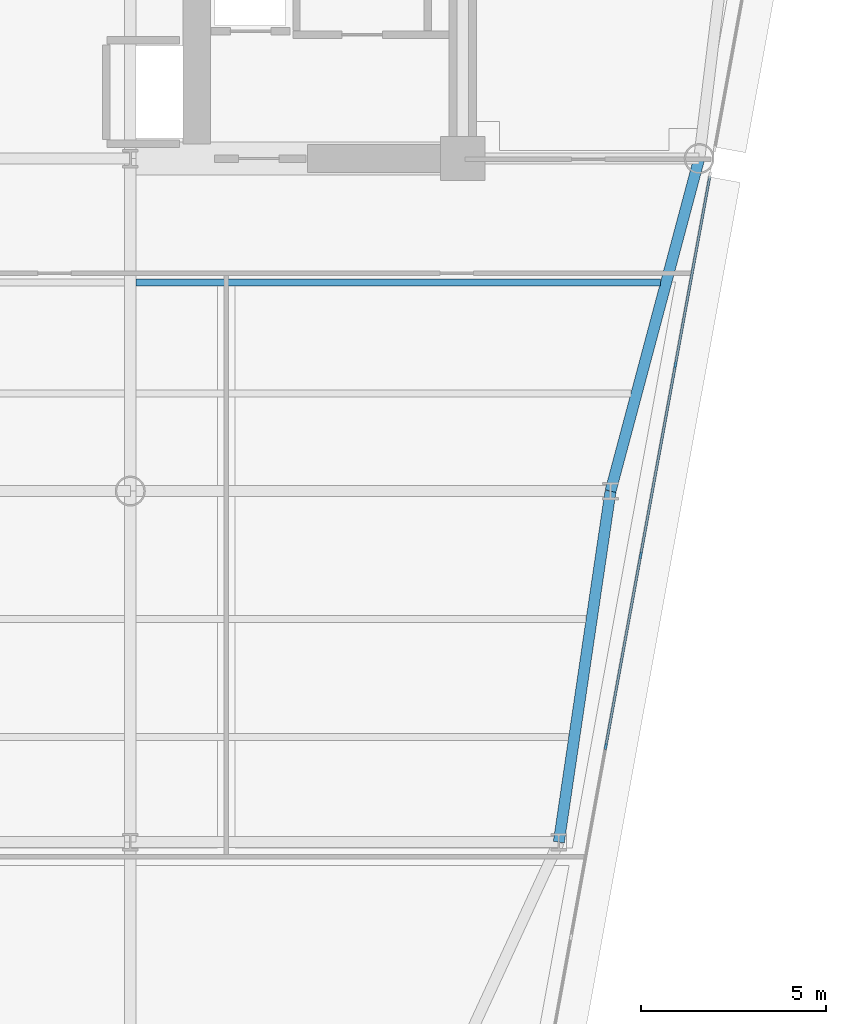
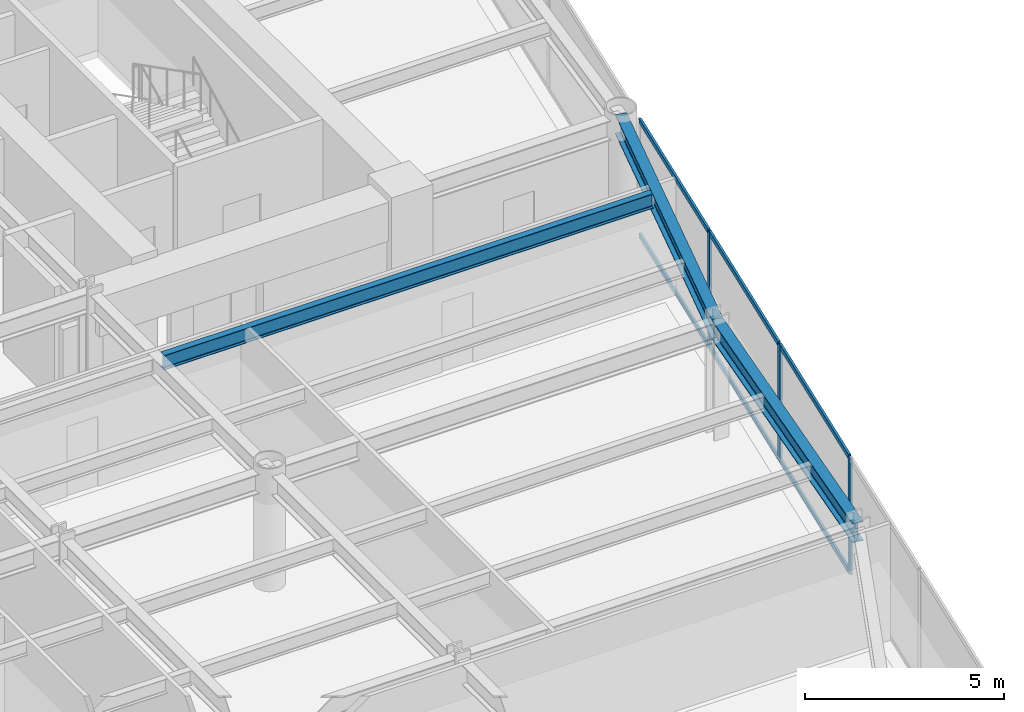
# One storey, part 6 of 17: 9 members, 3 beams, 1 element without a shape of its own.
"""IFC4 building model written with IfcOpenShell, lengths in metres."""

from ifc_helpers import new_model, si_unit, direction, frame, origin, origin_2d, place, context, subcontext, project, spatial, rectangle, i_section, extrude, source, transform, mapped, material, layer, layer_set, material_profile, profile_set, type_object, element, aggregate, save


model = new_model("IFC4")

# Units and contexts
model_context = context("Model", 3, precision=1e-05, world=origin(), true_north=direction((0.0, 1.0)))
body_context = subcontext(model_context, "Body", "Model", "MODEL_VIEW")
ifc_project = project(units=[si_unit("LENGTHUNIT", "METRE"), si_unit("AREAUNIT", "SQUARE_METRE"), si_unit("VOLUMEUNIT", "CUBIC_METRE"), si_unit("PLANEANGLEUNIT", "RADIAN"), si_unit("MASSUNIT", "GRAM", prefix="KILO")], contexts=[model_context])

# Site, building, storey
site_placement = place(None, origin())
site = spatial("IfcSite", under=ifc_project, at=site_placement, CompositionType="ELEMENT")
building_placement = place(site_placement, origin())
building = spatial("IfcBuilding", under=site, at=building_placement, Name="Vaeldorn Concourse Tower", CompositionType="ELEMENT")
storey_placement = place(building_placement, frame((0.0, 0.0, 165.199951171875)))
storey = spatial("IfcBuildingStorey", under=building, at=storey_placement, Name="L42", CompositionType="ELEMENT", Elevation=165.199951171875)

# Beams
ifc_material_1 = material(Name="Steel S355", Category="steel")
ifc_material_profile_1 = material_profile(ifc_material_1, i_section(OverallWidth=0.18994140625, OverallDepth=0.449951171875, WebThickness=0.009521484375, FlangeThickness=0.0146484375, FilletRadius=0.02099609375, at=origin_2d()), Name="IPE 450")
ifc_profile_set_1 = profile_set([ifc_material_profile_1], Name="Steel S355")
beam_type_1 = type_object("IfcBeamType", Name="BM-JS-IPE450", PredefinedType="JOIST", material=ifc_profile_set_1)
shared_shape_1 = source(origin(), body_context, "Body", "SweptSolid", [
    extrude(i_section(OverallWidth=0.18994140625, OverallDepth=0.449951171875, WebThickness=0.009521484375, FlangeThickness=0.0146484375, FilletRadius=0.02099609375, at=origin_2d()), origin(), (0.0, 0.0, 1.0), 14.2041015625),
])
beam_1_placement = place(storey_placement, frame((45.14990234375, 33.139892578125, 3.35498046875), z_axis=(1.0, 0.0, 0.0), x_axis=(0.0, 1.0, 0.0)))
element("IfcBeam", 1, at=beam_1_placement, inside=storey, type_object=beam_type_1, Name="Beam JS-L42-E1-331", PredefinedType="JOIST", context=body_context, shape_type="MappedRepresentation", body=[
    mapped(shared_shape_1, transform((0.0, 0.0, 0.0), scale=1.0)),
])
ifc_material_profile_2 = material_profile(ifc_material_1, i_section(OverallWidth=0.300048828125, OverallDepth=0.60009765625, WebThickness=0.015380859375, FlangeThickness=0.030029296875, FilletRadius=0.027099609375, at=origin_2d()), Name="HEB 600")
ifc_profile_set_2 = profile_set([ifc_material_profile_2], Name="Steel S355")
beam_type_2 = type_object("IfcBeamType", Name="BM-PG-HEB600", PredefinedType="BEAM", material=ifc_profile_set_2)
shared_shape_2 = source(origin(), body_context, "Body", "SweptSolid", [
    extrude(i_section(OverallWidth=0.300048828125, OverallDepth=0.60009765625, WebThickness=0.015380859375, FlangeThickness=0.030029296875, FilletRadius=0.027099609375, at=origin_2d()), origin(), (0.0, 0.0, 1.0), 9.314453125),
])
beam_2_placement = place(storey_placement, frame((60.39990234375, 36.5, 3.280029296875), z_axis=(-0.257652862255, -0.966237549763, 0.0), x_axis=(0.966237549763, -0.257652862255, 0.0)))
element("IfcBeam", 2, at=beam_2_placement, inside=storey, type_object=beam_type_2, Name="Beam BM-L42-C-NE2-C-FLE1", PredefinedType="BEAM", context=body_context, shape_type="MappedRepresentation", body=[
    mapped(shared_shape_2, transform((0.0, 0.0, 0.0), scale=1.0)),
])
shared_shape_3 = source(origin(), body_context, "Body", "SweptSolid", [
    extrude(i_section(OverallWidth=0.300048828125, OverallDepth=0.60009765625, WebThickness=0.015380859375, FlangeThickness=0.030029296875, FilletRadius=0.027099609375, at=origin_2d()), origin(), (0.0, 0.0, 1.0), 9.6025390625),
])
beam_3_placement = place(storey_placement, frame((58.0, 27.5, 3.280029296875), z_axis=(-0.145783835977, -0.989316467652, 0.0), x_axis=(0.989316467652, -0.145783835977, 0.0)))
element("IfcBeam", 3, at=beam_3_placement, inside=storey, type_object=beam_type_2, Name="Beam BM-L42-C-FLE1-C-FLE2", PredefinedType="BEAM", context=body_context, shape_type="MappedRepresentation", body=[
    mapped(shared_shape_3, transform((0.0, 0.0, 0.0), scale=1.0)),
])

# Curtain wall, members
ifc_material_2 = material(Name="Anodised Bronze Aluminium", Category="aluminium")
ifc_layer = layer(ifc_material_2, 0.18994140625)
ifc_layer_set = layer_set([ifc_layer], Name="Anodised Bronze Aluminium")
curtain_wall_type = type_object("IfcCurtainWallType", Name="CW-SYS-03", PredefinedType="NOTDEFINED", material=ifc_layer_set)
curtain_wall_placement = place(storey_placement, origin())
curtain_wall = element("IfcCurtainWall", 4, at=curtain_wall_placement, inside=storey, type_object=curtain_wall_type, Name="Unitised Curtain Wall CW-L42-E07-1", PredefinedType="NOTDEFINED")
ifc_material_profile_3 = material_profile(ifc_material_2, rectangle(XDim=0.06494140625, YDim=0.14990234375, at=origin_2d()), Name="CWT 65x150")
ifc_profile_set_3 = profile_set([ifc_material_profile_3], Name="Anodised Bronze Aluminium")
member_type_1 = type_object("IfcMemberType", Name="CWT-BRONZE-150", PredefinedType="USERDEFINED", material=ifc_profile_set_3)
shared_shape_4 = source(origin(), body_context, "Body", "SweptSolid", [
    extrude(rectangle(XDim=0.06494140625, YDim=0.14990234375, at=origin_2d()), origin(), (0.0, 0.0, 1.0), 5.151611328125),
])
member_1_placement = place(storey_placement, frame((59.762451171875, 30.95166015625, 0.032470703125), z_axis=(0.179473445995, 0.983762818053, 0.0), x_axis=(-0.983762818053, 0.179473445995, 0.0)))
member_1 = element("IfcMember", 5, at=member_1_placement, type_object=member_type_1, Name="CW-03 transom 6.1", ObjectType="TRANSOM", PredefinedType="USERDEFINED", context=body_context, shape_type="MappedRepresentation", body=[
    mapped(shared_shape_4, transform((0.0, 0.0, 0.0), scale=1.0)),
])
member_2_placement = place(storey_placement, frame((59.762451171875, 30.95166015625, 3.547607421875), z_axis=(0.179473445995, 0.983762818053, 0.0), x_axis=(-0.983762818053, 0.179473445995, 0.0)))
member_2 = element("IfcMember", 6, at=member_2_placement, type_object=member_type_1, Name="CW-03 transom 6.2", ObjectType="TRANSOM", PredefinedType="USERDEFINED", context=body_context, shape_type="MappedRepresentation", body=[
    mapped(shared_shape_4, transform((0.0, 0.0, 0.0), scale=1.0)),
])
shared_shape_5 = source(origin(), body_context, "Body", "SweptSolid", [
    extrude(rectangle(XDim=0.06494140625, YDim=0.14990234375, at=origin_2d()), origin(), (0.0, 0.0, 1.0), 5.18408203125),
])
member_3_placement = place(storey_placement, frame((57.878662109375, 20.623779296875, 0.032470703125), z_axis=(0.179432467646, 0.983770293084, 0.0), x_axis=(-0.983770293084, 0.179432467646, 0.0)))
member_3 = element("IfcMember", 7, at=member_3_placement, type_object=member_type_1, Name="CW-03 transom 4.1", ObjectType="TRANSOM", PredefinedType="USERDEFINED", context=body_context, shape_type="MappedRepresentation", body=[
    mapped(shared_shape_5, transform((0.0, 0.0, 0.0), scale=1.0)),
])
member_4_placement = place(storey_placement, frame((57.878662109375, 20.623779296875, 3.547607421875), z_axis=(0.179432467646, 0.983770293084, 0.0), x_axis=(-0.983770293084, 0.179432467646, 0.0)))
member_4 = element("IfcMember", 8, at=member_4_placement, type_object=member_type_1, Name="CW-03 transom 4.2", ObjectType="TRANSOM", PredefinedType="USERDEFINED", context=body_context, shape_type="MappedRepresentation", body=[
    mapped(shared_shape_5, transform((0.0, 0.0, 0.0), scale=1.0)),
])
shared_shape_6 = source(origin(), body_context, "Body", "SweptSolid", [
    extrude(rectangle(XDim=0.06494140625, YDim=0.14990234375, at=origin_2d()), origin(), (0.0, 0.0, 1.0), 5.184326171875),
])
member_5_placement = place(storey_placement, frame((58.820556640625, 25.78759765625, 0.032470703125), z_axis=(0.179424154775, 0.983771809254, 0.0), x_axis=(-0.983771809254, 0.179424154775, 0.0)))
member_5 = element("IfcMember", 9, at=member_5_placement, type_object=member_type_1, Name="CW-03 transom 5.1", ObjectType="TRANSOM", PredefinedType="USERDEFINED", context=body_context, shape_type="MappedRepresentation", body=[
    mapped(shared_shape_6, transform((0.0, 0.0, 0.0), scale=1.0)),
])
member_6_placement = place(storey_placement, frame((58.820556640625, 25.78759765625, 3.547607421875), z_axis=(0.179424154775, 0.983771809254, 0.0), x_axis=(-0.983771809254, 0.179424154775, 0.0)))
member_6 = element("IfcMember", 10, at=member_6_placement, type_object=member_type_1, Name="CW-03 transom 5.2", ObjectType="TRANSOM", PredefinedType="USERDEFINED", context=body_context, shape_type="MappedRepresentation", body=[
    mapped(shared_shape_6, transform((0.0, 0.0, 0.0), scale=1.0)),
])
ifc_material_profile_4 = material_profile(ifc_material_2, rectangle(XDim=0.06494140625, YDim=0.169921875, at=origin_2d()), Name="CWM 65x170")
ifc_profile_set_4 = profile_set([ifc_material_profile_4], Name="Anodised Bronze Aluminium")
member_type_2 = type_object("IfcMemberType", Name="CWM-BRONZE-170", PredefinedType="MULLION", material=ifc_profile_set_4)
shared_shape_7 = source(origin(), body_context, "Body", "SweptSolid", [
    extrude(rectangle(XDim=0.06494140625, YDim=0.169921875, at=origin_2d()), origin(), (0.0, 0.0, 1.0), 3.580078125),
])
member_7_placement = place(storey_placement, frame((57.872802734375, 20.591796875, 0.0), z_axis=(0.0, 0.0, 1.0), x_axis=(-0.983767841325, 0.179445909331, 0.0)))
member_7 = element("IfcMember", 11, at=member_7_placement, type_object=member_type_2, Name="CW-03 mullion 4", PredefinedType="MULLION", context=body_context, shape_type="MappedRepresentation", body=[
    mapped(shared_shape_7, transform((0.0, 0.0, 0.0), scale=1.0)),
])
member_8_placement = place(storey_placement, frame((58.814697265625, 25.755615234375, 0.0), z_axis=(0.0, 0.0, 1.0), x_axis=(-0.983767841325, 0.179445909331, 0.0)))
member_8 = element("IfcMember", 12, at=member_8_placement, type_object=member_type_2, Name="CW-03 mullion 5", PredefinedType="MULLION", context=body_context, shape_type="MappedRepresentation", body=[
    mapped(shared_shape_7, transform((0.0, 0.0, 0.0), scale=1.0)),
])
member_9_placement = place(storey_placement, frame((59.756591796875, 30.919677734375, 0.0), z_axis=(0.0, 0.0, 1.0), x_axis=(-0.983767841325, 0.179445909331, 0.0)))
member_9 = element("IfcMember", 13, at=member_9_placement, type_object=member_type_2, Name="CW-03 mullion 6", PredefinedType="MULLION", context=body_context, shape_type="MappedRepresentation", body=[
    mapped(shared_shape_7, transform((0.0, 0.0, 0.0), scale=1.0)),
])
aggregate(curtain_wall, [member_7, member_8, member_9, member_3, member_4, member_5, member_6, member_1, member_2])

save(model, "model.ifc")
